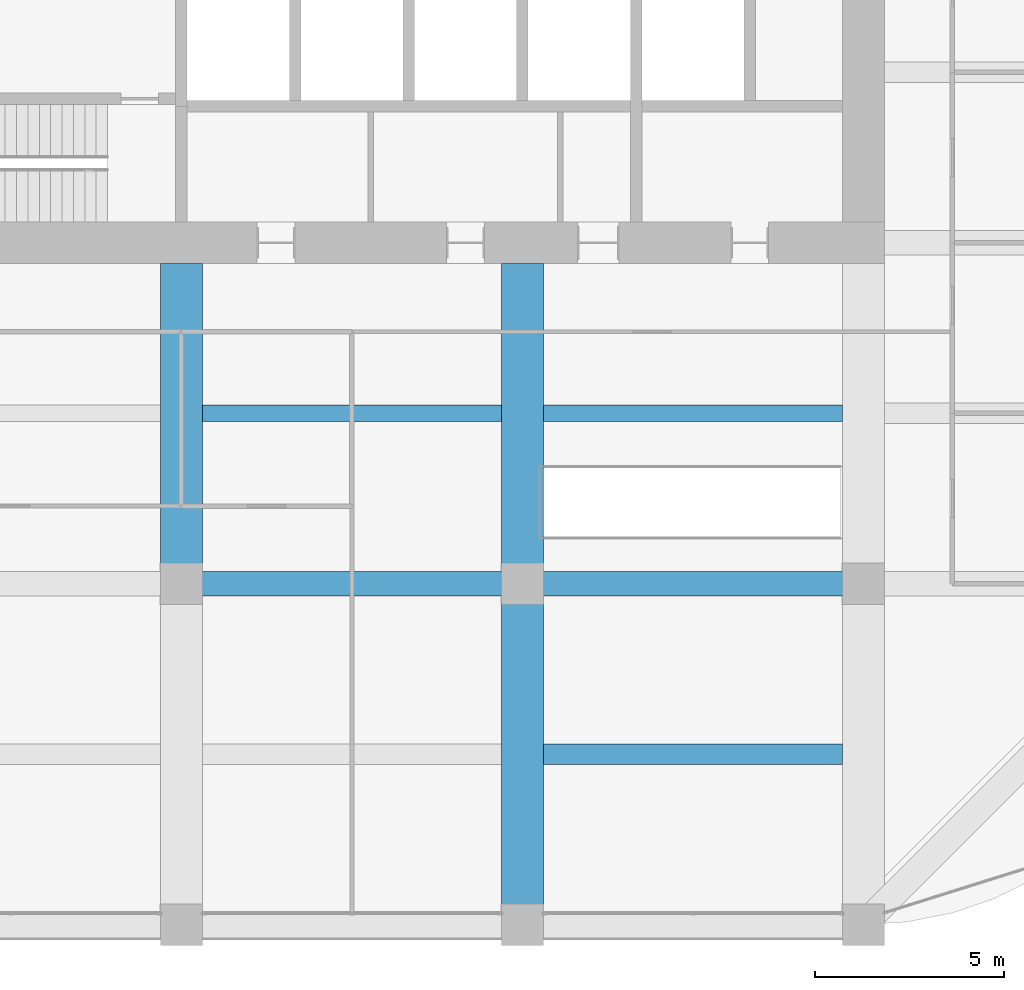
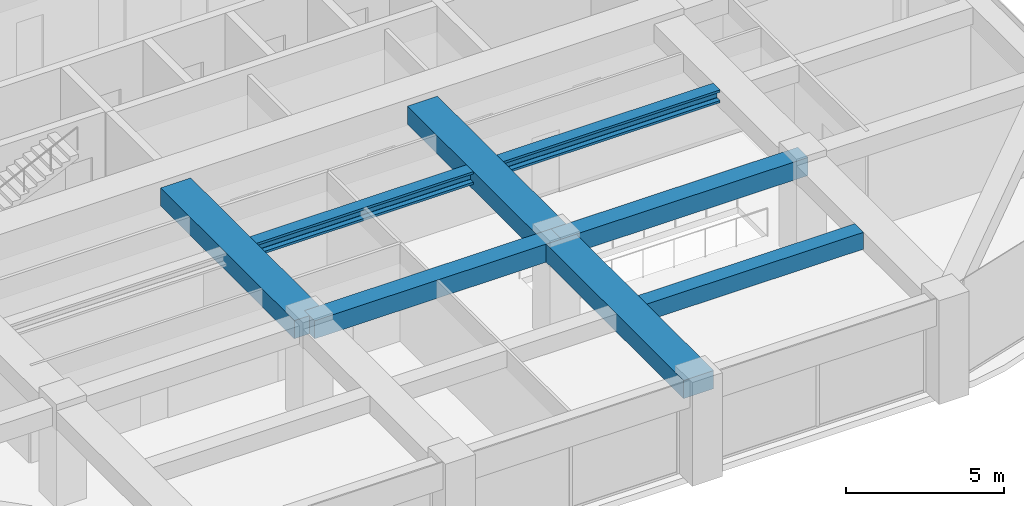
# One storey, part 12 of 44: 8 beams.
"""IFC4 building model written with IfcOpenShell, lengths in metres."""

from ifc_helpers import new_model, si_unit, direction, frame, origin, origin_2d, place, context, subcontext, project, spatial, rectangle, i_section, extrude, material, material_profile, profile_set, type_object, element, save


model = new_model("IFC4")

# Units and contexts
model_context = context("Model", 3, precision=1e-05, world=origin(), true_north=direction((0.0, 1.0)))
body_context = subcontext(model_context, "Body", "Model", "MODEL_VIEW")
ifc_project = project(units=[si_unit("LENGTHUNIT", "METRE"), si_unit("AREAUNIT", "SQUARE_METRE"), si_unit("VOLUMEUNIT", "CUBIC_METRE"), si_unit("PLANEANGLEUNIT", "RADIAN"), si_unit("MASSUNIT", "GRAM", prefix="KILO")], contexts=[model_context])

# Site, building, storey
site_placement = place(None, origin())
site = spatial("IfcSite", under=ifc_project, at=site_placement, CompositionType="ELEMENT")
building_placement = place(site_placement, origin())
building = spatial("IfcBuilding", under=site, at=building_placement, Name="Zorevar Civic Tower", CompositionType="ELEMENT")
storey_placement = place(building_placement, frame((0.0, 0.0, 255.39990234375)))
storey = spatial("IfcBuildingStorey", under=building, at=storey_placement, Name="L62", CompositionType="ELEMENT", Elevation=255.39990234375)

# Beams
ifc_material_1 = material(Name="Concrete C50/60", Category="concrete")
ifc_material_profile_1 = material_profile(ifc_material_1, rectangle(XDim=1.10009765625, YDim=0.699951171875, at=origin_2d()), Name="RC 1100x700")
ifc_profile_set_1 = profile_set([ifc_material_profile_1], Name="Concrete C50/60")
beam_type_1 = type_object("IfcBeamType", Name="Beam RC 1100x700", PredefinedType="BEAM", material=ifc_profile_set_1)
beam_1_placement = place(storey_placement, frame((27.0, 9.0, 3.400146484375), z_axis=(0.0, 1.0, 0.0), x_axis=(-1.0, 0.0, 0.0)))
element("IfcBeam", 1, at=beam_1_placement, inside=storey, type_object=beam_type_1, Name="Girder L63", PredefinedType="BEAM", context=body_context, shape_type="SweptSolid", body=[
    extrude(rectangle(XDim=1.10009765625, YDim=0.699951171875, at=origin_2d()), origin(), (0.0, 0.0, 1.0), 8.449951171875),
])
beam_2_placement = place(storey_placement, frame((36.0, 0.0, 3.400146484375), z_axis=(0.0, 1.0, 0.0), x_axis=(-1.0, 0.0, 0.0)))
element("IfcBeam", 2, at=beam_2_placement, inside=storey, type_object=beam_type_1, Name="Girder L63", PredefinedType="BEAM", context=body_context, shape_type="SweptSolid", body=[
    extrude(rectangle(XDim=1.10009765625, YDim=0.699951171875, at=origin_2d()), origin(), (0.0, 0.0, 1.0), 9.0),
])
beam_3_placement = place(storey_placement, frame((36.0, 9.0, 3.400146484375), z_axis=(0.0, 1.0, 0.0), x_axis=(-1.0, 0.0, 0.0)))
element("IfcBeam", 3, at=beam_3_placement, inside=storey, type_object=beam_type_1, Name="Girder L63", PredefinedType="BEAM", context=body_context, shape_type="SweptSolid", body=[
    extrude(rectangle(XDim=1.10009765625, YDim=0.699951171875, at=origin_2d()), origin(), (0.0, 0.0, 1.0), 8.449951171875),
])
ifc_material_2 = material(Name="Concrete C50/60", Category="concrete")
ifc_material_profile_2 = material_profile(ifc_material_2, rectangle(XDim=0.550048828125, YDim=0.64990234375, at=origin_2d()), Name="RC 550x650")
ifc_profile_set_2 = profile_set([ifc_material_profile_2], Name="Concrete C50/60")
beam_type_2 = type_object("IfcBeamType", Name="Beam RC 550x650", PredefinedType="BEAM", material=ifc_profile_set_2)
beam_4_placement = place(storey_placement, frame((36.550048828125, 4.5, 3.425048828125), z_axis=(1.0, 0.0, 0.0), x_axis=(0.0, 1.0, 0.0)))
element("IfcBeam", 4, at=beam_4_placement, inside=storey, type_object=beam_type_2, Name="Secondary beam L63", PredefinedType="BEAM", context=body_context, shape_type="SweptSolid", body=[
    extrude(rectangle(XDim=0.550048828125, YDim=0.64990234375, at=origin_2d()), origin(), (0.0, 0.0, 1.0), 7.89990234375),
])
ifc_material_3 = material(Name="Concrete C50/60", Category="concrete")
ifc_material_profile_3 = material_profile(ifc_material_3, rectangle(XDim=0.64990234375, YDim=0.699951171875, at=origin_2d()), Name="RC 650x700")
ifc_profile_set_3 = profile_set([ifc_material_profile_3], Name="Concrete C50/60")
beam_type_3 = type_object("IfcBeamType", Name="Beam RC 650x700", PredefinedType="BEAM", material=ifc_profile_set_3)
for number, where, z_axis, x_axis, name in (
    (5, (27.0, 9.0, 3.400146484375), (1.0, 0.0, 0.0), (0.0, 1.0, 0.0), "Girder L63"),
    (6, (36.0, 9.0, 3.400146484375), (1.0, 0.0, 0.0), (0.0, 1.0, 0.0), "Girder L63"),
):
    element("IfcBeam", number, at=place(storey_placement, frame(where, z_axis=z_axis, x_axis=x_axis)), inside=storey, type_object=beam_type_3, Name=name, PredefinedType="BEAM", context=body_context, shape_type="SweptSolid", body=[
        extrude(rectangle(XDim=0.64990234375, YDim=0.699951171875, at=origin_2d()), origin(), (0.0, 0.0, 1.0), 9.0),
    ])
ifc_material_4 = material(Name="Steel S460M (HISTAR 460)", Category="steel")
ifc_material_profile_4 = material_profile(ifc_material_4, i_section(OverallWidth=0.431884765625, OverallDepth=0.498046875, WebThickness=0.0556640625, FlangeThickness=0.0888671875, FilletRadius=0.014892578125, at=origin_2d()), Name="HD 400x744")
ifc_profile_set_4 = profile_set([ifc_material_profile_4], Name="Steel S460M (HISTAR 460)")
beam_type_4 = type_object("IfcBeamType", Name="Core bay beam HD 400x744", PredefinedType="BEAM", material=ifc_profile_set_4)
for number, where, z_axis, x_axis, name in (
    (7, (27.550048828125, 13.5, 3.5009765625), (1.0, 0.0, 0.0), (0.0, 1.0, 0.0), "Secondary beam L63"),
    (8, (36.550048828125, 13.5, 3.5009765625), (1.0, 0.0, 0.0), (0.0, 1.0, 0.0), "Secondary beam L63"),
):
    element("IfcBeam", number, at=place(storey_placement, frame(where, z_axis=z_axis, x_axis=x_axis)), inside=storey, type_object=beam_type_4, Name=name, PredefinedType="BEAM", context=body_context, shape_type="SweptSolid", body=[
        extrude(i_section(OverallWidth=0.431884765625, OverallDepth=0.498046875, WebThickness=0.0556640625, FlangeThickness=0.0888671875, FilletRadius=0.014892578125, at=origin_2d()), origin(), (0.0, 0.0, 1.0), 7.89990234375),
    ])

save(model, "model.ifc")
